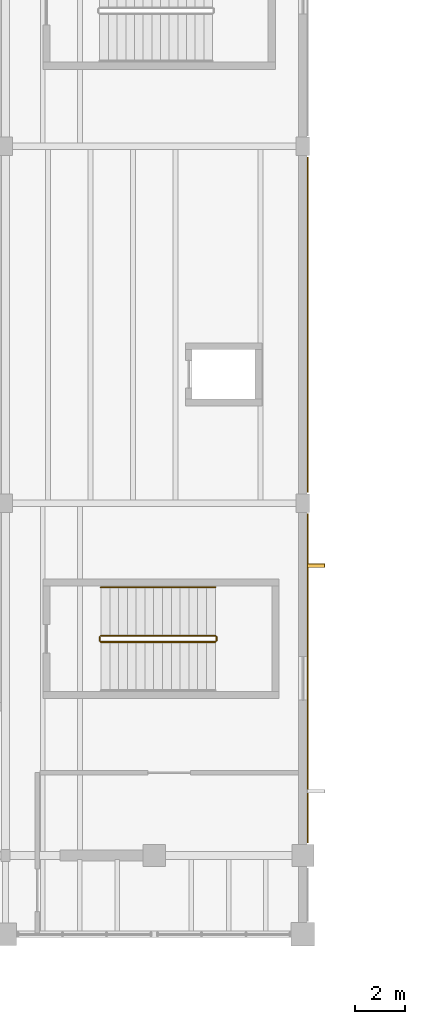
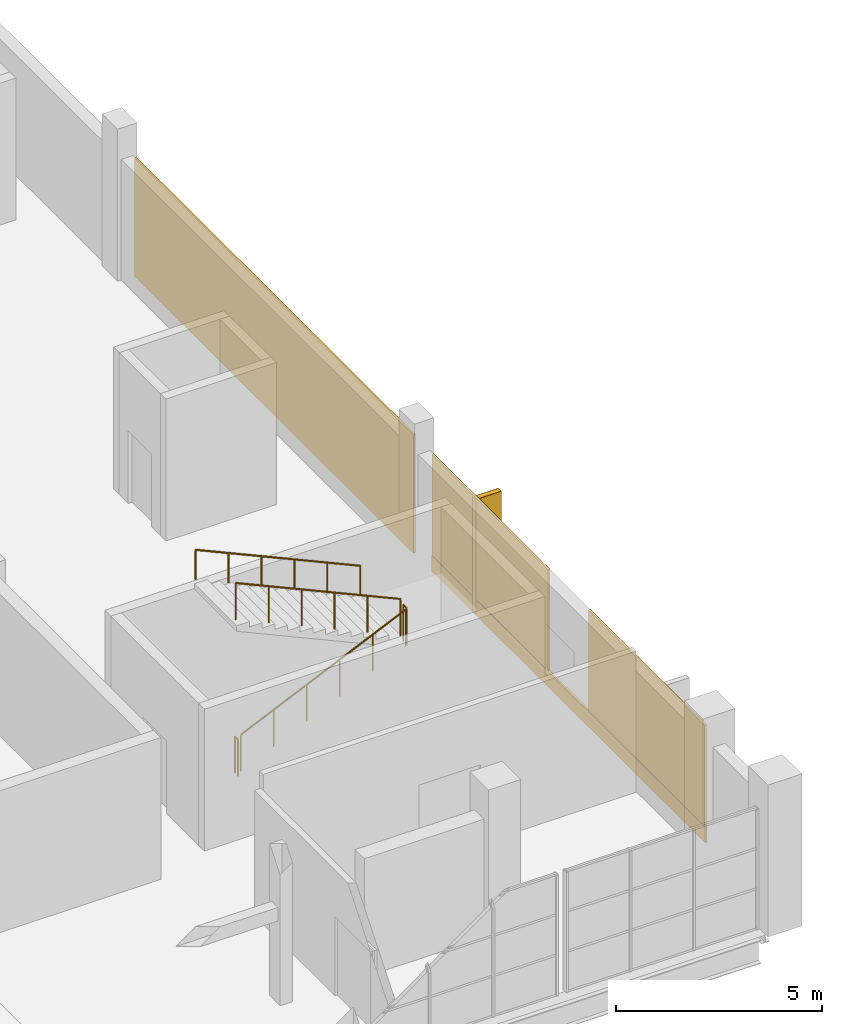
# One storey, part 70 of 78: 5 coverings, 5 railings, 1 shading device.
"""IFC4 building model written with IfcOpenShell, lengths in metres."""

from ifc_helpers import new_model, si_unit, direction, frame, origin, origin_2d, place, context, subcontext, project, spatial, rectangle, circle, extrude, material, layer, layer_set, type_object, element, save


model = new_model("IFC4")

# Units and contexts
model_context = context("Model", 3, precision=1e-05, world=origin(), true_north=direction((0.0, 1.0)))
body_context = subcontext(model_context, "Body", "Model", "MODEL_VIEW")
ifc_project = project(units=[si_unit("LENGTHUNIT", "METRE"), si_unit("AREAUNIT", "SQUARE_METRE"), si_unit("VOLUMEUNIT", "CUBIC_METRE"), si_unit("PLANEANGLEUNIT", "RADIAN"), si_unit("MASSUNIT", "GRAM", prefix="KILO")], contexts=[model_context])

# Site, building, storey
site_placement = place(None, origin())
site = spatial("IfcSite", under=ifc_project, at=site_placement, CompositionType="ELEMENT")
building_placement = place(site_placement, origin())
building = spatial("IfcBuilding", under=site, at=building_placement, Name="Kelmvaro Bay Concert Hall", CompositionType="ELEMENT")
storey_placement = place(building_placement, frame((0.0, 0.0, 9.300048828125)))
storey = spatial("IfcBuildingStorey", under=building, at=storey_placement, Name="L02", CompositionType="ELEMENT", Elevation=9.300048828125)

# Shading device
ifc_material_1 = material(Name="Anodised Extruded Aluminium 6063-T6", Category="aluminium")
ifc_layer_1 = layer(ifc_material_1, 3.39990234375)
ifc_layer_set_1 = layer_set([ifc_layer_1], Name="Anodised Extruded Aluminium 6063-T6")
shading_device_type = type_object("IfcShadingDeviceType", Name="Bauhaus Vertical Solar Brise-Soleil Fin 720x3400", PredefinedType="SHUTTER", material=ifc_layer_set_1)
shading_device_placement = place(storey_placement, frame((60.52587890625, 80.28173828125, 0.06005859375), z_axis=(0.0, 0.0, 1.0), x_axis=(0.0, -1.0, 0.0)))
element("IfcShadingDevice", 1, at=shading_device_placement, inside=storey, type_object=shading_device_type, Name="L02 Solar Brise-Soleil Fin 023", PredefinedType="SHUTTER", context=body_context, shape_type="SweptSolid", body=[
    extrude(rectangle(XDim=0.159912109375, YDim=0.719970703125, at=origin_2d()), origin(), (0.0, 0.0, 1.0), 3.39990234375),
])

# Coverings
ifc_material_2 = material(Name="PVDF-Coated Architectural Aluminium", Category="aluminium")
ifc_layer_2 = layer(ifc_material_2, 0.0400390625)
ifc_layer_set_2 = layer_set([ifc_layer_2], Name="PVDF-Coated Architectural Aluminium")
covering_type_1 = type_object("IfcCoveringType", Name="De Stijl Enamelled Aluminium Fascia Panel 40", PredefinedType="CLADDING", material=ifc_layer_set_2)
covering_1_placement = place(storey_placement, frame((60.52587890625, 80.28173828125, 0.06005859375), z_axis=(0.0, 0.0, 1.0), x_axis=(0.0, -1.0, 0.0)))
element("IfcCovering", 2, at=covering_1_placement, inside=storey, type_object=covering_type_1, Name="L02 Architectural Vertical Fin Cladding 0097", PredefinedType="CLADDING", context=body_context, shape_type="SweptSolid", body=[
    extrude(rectangle(XDim=0.139892578125, YDim=0.699951171875, at=origin_2d()), origin(), (0.0, 0.0, 1.0), 3.39990234375),
])
ifc_material_3 = material(Name="Honed Florida Limestone Travertine", Category="masonry")
ifc_layer_3 = layer(ifc_material_3, 0.054931640625)
ifc_layer_set_3 = layer_set([ifc_layer_3], Name="Honed Florida Limestone Travertine")
covering_type_2 = type_object("IfcCoveringType", Name="Honed Florida Travertine Rainscreen Cladding 55", PredefinedType="CLADDING", material=ifc_layer_set_3)
covering_2_placement = place(storey_placement, frame((60.195556640625, 75.7275390625, 0.0400390625), z_axis=(0.0, 0.0, 1.0), x_axis=(0.0, -1.0, 0.0)))
element("IfcCovering", 3, at=covering_2_placement, inside=storey, type_object=covering_type_2, Name="L02 Travertine Sill Band 0096", PredefinedType="CLADDING", context=body_context, shape_type="SweptSolid", body=[
    extrude(rectangle(XDim=13.27490234375, YDim=0.054931640625, at=origin_2d()), origin(), (0.0, 0.0, 1.0), 0.4599609375),
])
for number, where, z_axis, x_axis, name in (
    (4, (60.195556640625, 79.523681640625, 0.52001953125), (0.0, 0.0, 1.0), (0.0, -1.0, 0.0), "L02 Travertine Pier Panel 0099"),
    (5, (60.195556640625, 71.931396484375, 0.52001953125), (0.0, 0.0, 1.0), (0.0, -1.0, 0.0), "L02 Travertine Pier Panel 0100"),
):
    element("IfcCovering", number, at=place(storey_placement, frame(where, z_axis=z_axis, x_axis=x_axis)), inside=storey, type_object=covering_type_2, Name=name, PredefinedType="CLADDING", context=body_context, shape_type="SweptSolid", body=[
        extrude(rectangle(XDim=5.64306640625, YDim=0.054931640625, at=origin_2d()), origin(), (0.0, 0.0, 1.0), 2.989013671875),
    ])
covering_3_placement = place(storey_placement, frame((60.195556640625, 90.0, 0.02978515625), z_axis=(0.0, 0.0, 1.0), x_axis=(0.0, -1.0, 0.0)))
element("IfcCovering", 6, at=covering_3_placement, inside=storey, type_object=covering_type_2, Name="L02 Travertine Cladding Panel 0102", PredefinedType="CLADDING", context=body_context, shape_type="SweptSolid", body=[
    extrude(rectangle(XDim=13.530029296875, YDim=0.054931640625, at=origin_2d()), origin(), (0.0, 0.0, 1.0), 3.509033203125),
])

# Railings
ifc_material_4 = material(Name="Brushed Stainless Steel 316", Category="steel")
railing_type_1 = type_object("IfcRailingType", Name="Stair Stainless Wall Handrail 900", PredefinedType="HANDRAIL", material=ifc_material_4)
railing_1_placement = place(storey_placement, frame((56.465087890625, 79.39990234375, 2.41064453125)))
element("IfcRailing", 7, at=railing_1_placement, inside=storey, type_object=railing_type_1, Name="L02 ST-04 stair handrail 2", PredefinedType="HANDRAIL", context=body_context, shape_type="SweptSolid", body=[
    extrude(circle(Radius=0.02392578125, at=origin_2d()), frame((0.0, 0.0, 0.8759765625), z_axis=(-0.910987662999, 0.0, 0.412433604187), x_axis=(0.0, -1.0, 0.0)), (0.0, 0.0, 1.0), 5.06591796875),
    extrude(circle(Radius=0.02099609375, at=origin_2d()), origin(), (0.0, 0.0, 1.0), 0.851806640625),
    extrude(circle(Radius=0.02099609375, at=origin_2d()), frame((-0.923095703125, 0.0, 0.41796875)), (0.0, 0.0, 1.0), 0.851806640625),
    extrude(circle(Radius=0.02099609375, at=origin_2d()), frame((-1.845947265625, 0.0, 0.835693359375)), (0.0, 0.0, 1.0), 0.851806640625),
    extrude(circle(Radius=0.02099609375, at=origin_2d()), frame((-2.76904296875, 0.0, 1.253662109375)), (0.0, 0.0, 1.0), 0.851806640625),
    extrude(circle(Radius=0.02099609375, at=origin_2d()), frame((-3.69189453125, 0.0, 1.67138671875)), (0.0, 0.0, 1.0), 0.851806640625),
    extrude(circle(Radius=0.02099609375, at=origin_2d()), frame((-4.614990234375, 0.0, 2.08935546875)), (0.0, 0.0, 1.0), 0.851806640625),
])
ifc_material_5 = material(Name="Powder-Coated Steel ASTM A500", Category="steel")
railing_type_2 = type_object("IfcRailingType", Name="Stair Well Painted Steel Guard 1100", PredefinedType="BALUSTRADE", material=ifc_material_5)
railing_2_placement = place(storey_placement, frame((51.85009765625, 77.199951171875, 0.16064453125)))
element("IfcRailing", 8, at=railing_2_placement, inside=storey, type_object=railing_type_2, Name="L02 ST-04 stair guard 1", PredefinedType="BALUSTRADE", context=body_context, shape_type="SweptSolid", body=[
    extrude(circle(Radius=0.02392578125, at=origin_2d()), frame((0.0, 0.0, 1.076171875), z_axis=(0.910987662999, 0.0, 0.412433604187), x_axis=(0.0, 1.0, 0.0)), (0.0, 0.0, 1.0), 5.06591796875),
    extrude(circle(Radius=0.02099609375, at=origin_2d()), origin(), (0.0, 0.0, 1.0), 1.052001953125),
    extrude(circle(Radius=0.02099609375, at=origin_2d()), frame((0.923095703125, 0.0, 0.41796875)), (0.0, 0.0, 1.0), 1.052001953125),
    extrude(circle(Radius=0.02099609375, at=origin_2d()), frame((1.845947265625, 0.0, 0.835693359375)), (0.0, 0.0, 1.0), 1.052001953125),
    extrude(circle(Radius=0.02099609375, at=origin_2d()), frame((2.76904296875, 0.0, 1.253662109375)), (0.0, 0.0, 1.0), 1.052001953125),
    extrude(circle(Radius=0.02099609375, at=origin_2d()), frame((3.69189453125, 0.0, 1.67138671875)), (0.0, 0.0, 1.0), 1.052001953125),
    extrude(circle(Radius=0.02099609375, at=origin_2d()), frame((4.614990234375, 0.0, 2.08935546875)), (0.0, 0.0, 1.0), 1.052001953125),
])
railing_3_placement = place(storey_placement, frame((56.514892578125, 77.25, 2.25)))
element("IfcRailing", 9, at=railing_3_placement, inside=storey, type_object=railing_type_2, Name="L02 ST-04 stair guard 2", PredefinedType="BALUSTRADE", context=body_context, shape_type="SweptSolid", body=[
    extrude(circle(Radius=0.02392578125, at=origin_2d()), frame((0.0, 0.0, 1.076171875), z_axis=(0.0, 1.0, 0.0), x_axis=(-1.0, 0.0, 0.0)), (0.0, 0.0, 1.0), 0.14990234375),
    extrude(circle(Radius=0.02099609375, at=origin_2d()), origin(), (0.0, 0.0, 1.0), 1.052001953125),
    extrude(circle(Radius=0.02099609375, at=origin_2d()), frame((0.0, 0.14990234375, 0.0)), (0.0, 0.0, 1.0), 1.052001953125),
])
railing_4_placement = place(storey_placement, frame((56.465087890625, 77.449951171875, 2.41064453125)))
element("IfcRailing", 10, at=railing_4_placement, inside=storey, type_object=railing_type_2, Name="L02 ST-04 stair guard 3", PredefinedType="BALUSTRADE", context=body_context, shape_type="SweptSolid", body=[
    extrude(circle(Radius=0.02392578125, at=origin_2d()), frame((0.0, 0.0, 1.076171875), z_axis=(-0.910987662999, 0.0, 0.412433604187), x_axis=(0.0, -1.0, 0.0)), (0.0, 0.0, 1.0), 5.06591796875),
    extrude(circle(Radius=0.02099609375, at=origin_2d()), origin(), (0.0, 0.0, 1.0), 1.052001953125),
    extrude(circle(Radius=0.02099609375, at=origin_2d()), frame((-0.923095703125, 0.0, 0.41796875)), (0.0, 0.0, 1.0), 1.052001953125),
    extrude(circle(Radius=0.02099609375, at=origin_2d()), frame((-1.845947265625, 0.0, 0.835693359375)), (0.0, 0.0, 1.0), 1.052001953125),
    extrude(circle(Radius=0.02099609375, at=origin_2d()), frame((-2.76904296875, 0.0, 1.253662109375)), (0.0, 0.0, 1.0), 1.052001953125),
    extrude(circle(Radius=0.02099609375, at=origin_2d()), frame((-3.69189453125, 0.0, 1.67138671875)), (0.0, 0.0, 1.0), 1.052001953125),
    extrude(circle(Radius=0.02099609375, at=origin_2d()), frame((-4.614990234375, 0.0, 2.08935546875)), (0.0, 0.0, 1.0), 1.052001953125),
])
railing_5_placement = place(storey_placement, frame((51.800048828125, 77.25, 0.0)))
element("IfcRailing", 11, at=railing_5_placement, inside=storey, type_object=railing_type_2, Name="L02 ST-04 stair guard 4", PredefinedType="BALUSTRADE", context=body_context, shape_type="SweptSolid", body=[
    extrude(circle(Radius=0.02392578125, at=origin_2d()), frame((0.0, 0.0, 1.076171875), z_axis=(0.0, 1.0, 0.0), x_axis=(-1.0, 0.0, 0.0)), (0.0, 0.0, 1.0), 0.14990234375),
    extrude(circle(Radius=0.02099609375, at=origin_2d()), origin(), (0.0, 0.0, 1.0), 1.052001953125),
    extrude(circle(Radius=0.02099609375, at=origin_2d()), frame((0.0, 0.14990234375, 0.0)), (0.0, 0.0, 1.0), 1.052001953125),
])

save(model, "model.ifc")
